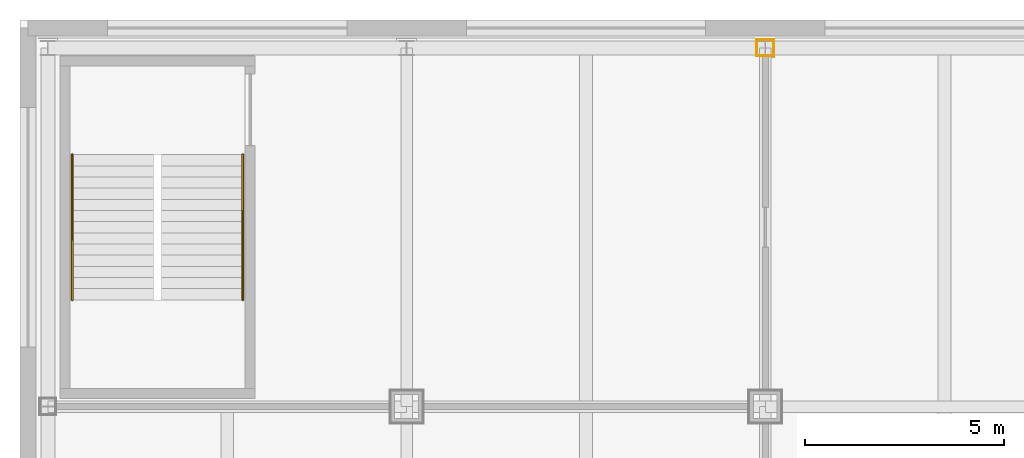
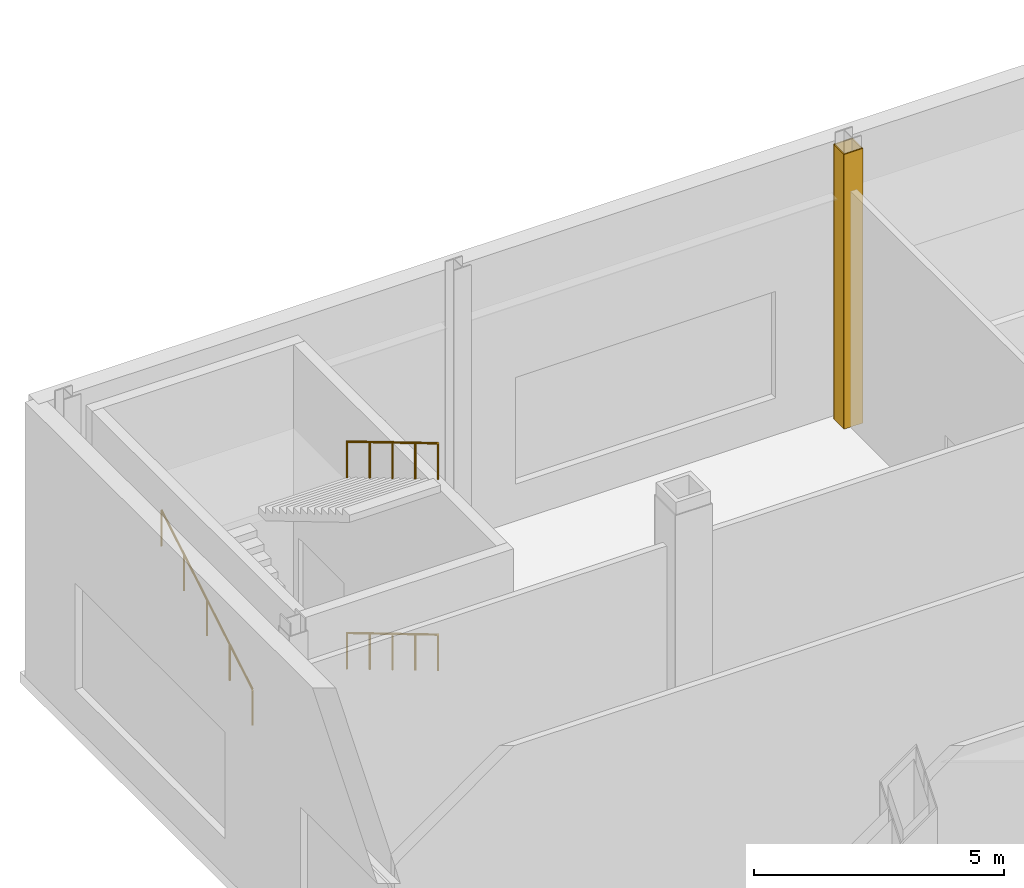
# One storey, part 30 of 32: 4 coverings, 3 railings.
"""IFC4 building model written with IfcOpenShell, lengths in metres."""

import ifcopenshell
import ifcopenshell.guid

model = None  # the IFC model being written
_history = None  # IfcOwnerHistory: only IFC2X3 demands one
_inside = {}  # id of a spatial element -> (the spatial element, [elements in it])
_under = {}  # id of a project, library or spatial element -> (it, [spatial elements below it])
_declared = {}  # id of a project -> (the project, [libraries it declares])
_typed = {}  # id of a type object -> (the type object, [elements of that type])
_made_of = {}  # id of a material, layer set ... -> (it, [elements and type objects made of it])


def new_model(schema):
    """Start an empty IFC model of exactly this schema.

    Asked for "IFC4X3", IfcOpenShell would pick the latest addendum, in which some entities
    have other attributes; the version numbers below select the first issue.
    IFC2X3 requires an IfcOwnerHistory on every rooted entity: one is made here for all.
    """
    global model, _history
    if schema == "IFC4X3":
        model = ifcopenshell.file(schema_version=(4, 3, 0, 0))
    else:
        model = ifcopenshell.file(schema=schema)
    _inside.clear()
    _under.clear()
    _declared.clear()
    _typed.clear()
    _made_of.clear()
    _history = None
    if model.schema == "IFC2X3":
        org = make("IfcOrganization", Name="unknown")
        user = make(
            "IfcPersonAndOrganization",
            ThePerson=make("IfcPerson", FamilyName="unknown"),
            TheOrganization=org,
        )
        app = make(
            "IfcApplication",
            ApplicationDeveloper=org,
            Version="unknown",
            ApplicationFullName="unknown",
            ApplicationIdentifier="unknown",
        )
        _history = make(
            "IfcOwnerHistory",
            OwningUser=user,
            OwningApplication=app,
            ChangeAction="ADDED",
            CreationDate=0,
        )
    return model


def make(cls, **values):
    """One entity of the class cls with the attributes given. An attribute that is None is left unset."""
    return model.create_entity(
        cls, **{name: value for name, value in values.items() if value is not None}
    )


def rooted(cls, **values):
    """An entity with a GlobalId (a new one), such as an element, a storey or a relation."""
    return make(cls, GlobalId=ifcopenshell.guid.new(), OwnerHistory=_history, **values)


def si_unit(unit_type, name, prefix=None):
    """IfcSIUnit, for example si_unit("LENGTHUNIT", "METRE", prefix="MILLI")."""
    return make("IfcSIUnit", UnitType=unit_type, Prefix=prefix, Name=name)


def assignment(units):
    """IfcUnitAssignment: the units of a project."""
    return None if units is None else make("IfcUnitAssignment", Units=units)


def point(xyz):
    """IfcCartesianPoint."""
    return None if xyz is None else make("IfcCartesianPoint", Coordinates=xyz)


def direction(xyz):
    """IfcDirection."""
    return None if xyz is None else make("IfcDirection", DirectionRatios=xyz)


def frame(location, z_axis=None, x_axis=None):
    """IfcAxis2Placement3D, a coordinate frame: its origin and axes. An axis left out is left unset."""
    return make(
        "IfcAxis2Placement3D",
        Location=point(location),
        Axis=direction(z_axis),
        RefDirection=direction(x_axis),
    )


def frame_2d(location, x_axis=None):
    """IfcAxis2Placement2D, a coordinate frame in the plane: its origin and x axis."""
    return make(
        "IfcAxis2Placement2D", Location=point(location), RefDirection=direction(x_axis)
    )


def origin():
    """The frame at (0, 0, 0) with its axes left unset."""
    return frame((0.0, 0.0, 0.0))


def origin_2d():
    """The frame at (0, 0) in the plane with its x axis left unset."""
    return frame_2d((0.0, 0.0))


def place(relative_to, where):
    """IfcLocalPlacement: puts the frame where relative to a parent placement (None: the world)."""
    return make(
        "IfcLocalPlacement", PlacementRelTo=relative_to, RelativePlacement=where
    )


def context(
    kind, dimensions, precision=None, world=None, true_north=None, identifier=None
):
    """IfcGeometricRepresentationContext, for example the 3D "Model" context."""
    return make(
        "IfcGeometricRepresentationContext",
        ContextIdentifier=identifier,
        ContextType=kind,
        CoordinateSpaceDimension=dimensions,
        Precision=precision,
        WorldCoordinateSystem=world,
        TrueNorth=true_north,
    )


def subcontext(parent, identifier, kind, view, scale=None):
    """IfcGeometricRepresentationSubContext, for example "Body" below "Model"."""
    return make(
        "IfcGeometricRepresentationSubContext",
        ContextIdentifier=identifier,
        ContextType=kind,
        ParentContext=parent,
        TargetScale=scale,
        TargetView=view,
    )


def project(units=None, contexts=None):
    """IfcProject with its units and contexts."""
    return rooted(
        "IfcProject",
        Name="project",
        RepresentationContexts=contexts,
        UnitsInContext=assignment(units),
    )


def spatial(cls, under=None, at=None, **own):
    """A site, building, storey or space (cls), placed at a placement, below another one or the project."""
    s = rooted(cls, ObjectPlacement=at, **own)
    if under is not None:
        _under.setdefault(under.id(), (under, []))[1].append(s)
    return s


def profile(cls, at=None, kind="AREA", **sizes):
    """A parametric profile (cls). Its sizes go by their IFC names, for example OverallWidth=200.0."""
    return make(cls, ProfileType=kind, Position=at, **sizes)


def rectangle(**sizes):
    """IfcRectangleProfileDef."""
    return profile("IfcRectangleProfileDef", **sizes)


def circle(**sizes):
    """IfcCircleProfileDef."""
    return profile("IfcCircleProfileDef", **sizes)


def extrude(swept, where, along, depth):
    """IfcExtrudedAreaSolid: the profile swept, set in the frame where, extruded along a direction by depth."""
    return make(
        "IfcExtrudedAreaSolid",
        SweptArea=swept,
        Position=where,
        ExtrudedDirection=direction(along),
        Depth=depth,
    )


def shape(context_of_items, identifier, shape_type, items):
    """IfcShapeRepresentation: the items that make up one representation, for example the "Body"."""
    return make(
        "IfcShapeRepresentation",
        ContextOfItems=context_of_items,
        RepresentationIdentifier=identifier,
        RepresentationType=shape_type,
        Items=items,
    )


def material(Name=None, Category=None):
    """IfcMaterial."""
    return make("IfcMaterial", Name=Name, Category=Category)


def layer(
    of_material, thickness, ventilated=None, Name=None, Category=None, Priority=None
):
    """IfcMaterialLayer: one layer of a wall or slab, of a material (None: an air gap)."""
    return make(
        "IfcMaterialLayer",
        Material=of_material,
        LayerThickness=thickness,
        IsVentilated=ventilated,
        Name=Name,
        Category=Category,
        Priority=Priority,
    )


def layer_set(layers, Name=None):
    """IfcMaterialLayerSet."""
    return make("IfcMaterialLayerSet", MaterialLayers=layers, LayerSetName=Name)


def made_of(thing, what):
    """Note that an element or type object is made of a material, layer set ...; save() writes the relation."""
    if what is not None:
        _made_of.setdefault(what.id(), (what, []))[1].append(thing)
    return thing


def type_object(cls, material=None, **own):
    """A type object (cls), such as IfcWallType, which elements share."""
    return made_of(rooted(cls, **own), material)


def element(
    cls,
    number,
    at=None,
    inside=None,
    cuts=None,
    type_object=None,
    material=None,
    context=None,
    identifier="Body",
    shape_type=None,
    held_by="IfcProductDefinitionShape",
    body=None,
    shapes=None,
    **own,
):
    """One element of the class cls, such as IfcWall. Its Tag is "e" and its number.

    at: its placement. inside: the storey or other place that contains it. cuts: it is an
    opening in that element (IfcRelVoidsElement). A single representation is given by context,
    identifier, shape_type and body (its items); several are given by shapes. held_by: the class
    of the entity that holds the representations. save() writes the other relations.
    """
    e = rooted(cls, Tag="e%d" % number, ObjectPlacement=at, **own)
    if body is not None:
        shapes = [shape(context, identifier, shape_type, body)]
    if shapes is not None:
        e.Representation = make(held_by, Representations=shapes)
    if inside is not None:
        _inside.setdefault(inside.id(), (inside, []))[1].append(e)
    if cuts is not None:
        rooted(
            "IfcRelVoidsElement", RelatingBuildingElement=cuts, RelatedOpeningElement=e
        )
    if type_object is not None:
        _typed.setdefault(type_object.id(), (type_object, []))[1].append(e)
    return made_of(e, material)


def aggregate(whole, parts):
    """IfcRelAggregates: a whole, such as a stair, and the parts it consists of."""
    return rooted("IfcRelAggregates", RelatingObject=whole, RelatedObjects=parts)


def save(model, path):
    """Write the relations noted so far, then the file.

    IfcRelAggregates (storeys below a building ...), IfcRelContainedInSpatialStructure (elements
    in a storey), IfcRelDefinesByType, IfcRelAssociatesMaterial and IfcRelDeclares: one each for
    every whole, place, type object, material and project.
    """
    for whole, parts in _under.values():
        aggregate(whole, parts)
    for where, things in _inside.values():
        rooted(
            "IfcRelContainedInSpatialStructure",
            RelatedElements=things,
            RelatingStructure=where,
        )
    for kind, things in _typed.values():
        rooted("IfcRelDefinesByType", RelatedObjects=things, RelatingType=kind)
    for what, things in _made_of.values():
        rooted("IfcRelAssociatesMaterial", RelatedObjects=things, RelatingMaterial=what)
    for by, libraries in _declared.values():
        rooted("IfcRelDeclares", RelatingContext=by, RelatedDefinitions=libraries)
    model.write(path)


model = new_model("IFC4")

# Units and contexts
model_context = context("Model", 3, precision=1e-05, world=origin(), true_north=direction((0.0, 1.0)))
body_context = subcontext(model_context, "Body", "Model", "MODEL_VIEW")
ifc_project = project(units=[si_unit("LENGTHUNIT", "METRE"), si_unit("AREAUNIT", "SQUARE_METRE"), si_unit("VOLUMEUNIT", "CUBIC_METRE"), si_unit("PLANEANGLEUNIT", "RADIAN"), si_unit("MASSUNIT", "GRAM", prefix="KILO")], contexts=[model_context])

# Site, building, storey
site_placement = place(None, origin())
site = spatial("IfcSite", under=ifc_project, at=site_placement, CompositionType="ELEMENT")
building_placement = place(site_placement, origin())
building = spatial("IfcBuilding", under=site, at=building_placement, Name="Loomwork Tower", CompositionType="ELEMENT")
storey_placement = place(building_placement, frame((0.0, 0.0, 16.0)))
storey = spatial("IfcBuildingStorey", under=building, at=storey_placement, Name="L03", CompositionType="ELEMENT", Elevation=16.0)

# Coverings
ifc_material_1 = material(Name="Two-hour fire-rated gypsum board casing")
ifc_layer = layer(ifc_material_1, 0.02490234375)
ifc_layer_set = layer_set([ifc_layer], Name="Column fire casing 25")
covering_type = type_object("IfcCoveringType", Name="Column fire casing 25", PredefinedType="CLADDING", material=ifc_layer_set)
for number, where, z_axis, x_axis, name in (
    (1, (9.0, 45.200439453125, 0.0), (0.0, 0.0, 1.0), (1.0, 0.0, 0.0), "Column casing 9 45 L03"),
    (2, (9.0, 44.799560546875, 0.0), (0.0, 0.0, 1.0), (1.0, 0.0, 0.0), "Column casing 9 45 L03"),
):
    element("IfcCovering", number, at=place(storey_placement, frame(where, z_axis=z_axis, x_axis=x_axis)), inside=storey, type_object=covering_type, Name=name, PredefinedType="CLADDING", context=body_context, shape_type="SweptSolid", body=[
        extrude(rectangle(XDim=0.443603515625, YDim=0.02490234375, at=origin_2d()), origin(), (0.0, 0.0, 1.0), 6.699951171875),
    ])
for number, where, z_axis, x_axis, name in (
    (3, (9.209228515625, 45.0, 0.0), (0.0, 0.0, 1.0), (1.0, 0.0, 0.0), "Column casing 9 45 L03"),
    (4, (8.790771484375, 45.0, 0.0), (0.0, 0.0, 1.0), (1.0, 0.0, 0.0), "Column casing 9 45 L03"),
):
    element("IfcCovering", number, at=place(storey_placement, frame(where, z_axis=z_axis, x_axis=x_axis)), inside=storey, type_object=covering_type, Name=name, PredefinedType="CLADDING", context=body_context, shape_type="SweptSolid", body=[
        extrude(rectangle(XDim=0.02490234375, YDim=0.3759765625, at=origin_2d()), origin(), (0.0, 0.0, 1.0), 6.699951171875),
    ])

# Railings
ifc_material_2 = material(Name="Stainless steel handrail", Category="steel")
railing_type = type_object("IfcRailingType", Name="Handrail 900", PredefinedType="HANDRAIL", material=ifc_material_2)
railing_1_placement = place(storey_placement, frame((-4.110107421875, 42.320068359375, 0.166748046875)))
element("IfcRailing", 5, at=railing_1_placement, inside=storey, type_object=railing_type, Name="Podium stair PS3 handrail flight 1 L03", PredefinedType="HANDRAIL", context=body_context, shape_type="SweptSolid", body=[
    extrude(circle(Radius=0.02392578125, at=origin_2d()), frame((0.0, 0.0, 0.8759765625), z_axis=(0.0, -0.859318214192, 0.511441303336), x_axis=(1.0, 0.0, 0.0)), (0.0, 0.0, 1.0), 4.236083984375),
    extrude(circle(Radius=0.02099609375, at=origin_2d()), origin(), (0.0, 0.0, 1.0), 0.851806640625),
    extrude(circle(Radius=0.02099609375, at=origin_2d()), frame((0.0, -0.91015625, 0.54150390625)), (0.0, 0.0, 1.0), 0.851806640625),
    extrude(circle(Radius=0.02099609375, at=origin_2d()), frame((0.0, -1.820068359375, 1.083251953125)), (0.0, 0.0, 1.0), 0.851806640625),
    extrude(circle(Radius=0.02099609375, at=origin_2d()), frame((0.0, -2.72998046875, 1.625)), (0.0, 0.0, 1.0), 0.851806640625),
    extrude(circle(Radius=0.02099609375, at=origin_2d()), frame((0.0, -3.64013671875, 2.16650390625)), (0.0, 0.0, 1.0), 0.851806640625),
])
railing_2_placement = place(storey_placement, frame((-8.389892578125, 38.679931640625, 2.5)))
element("IfcRailing", 6, at=railing_2_placement, inside=storey, type_object=railing_type, Name="Podium stair PS3 handrail flight 2 L03", PredefinedType="HANDRAIL", context=body_context, shape_type="SweptSolid", body=[
    extrude(circle(Radius=0.02392578125, at=origin_2d()), frame((0.0, 0.0, 0.8759765625), z_axis=(0.0, 0.859318214192, 0.511441303336), x_axis=(-1.0, 0.0, 0.0)), (0.0, 0.0, 1.0), 4.236083984375),
    extrude(circle(Radius=0.02099609375, at=origin_2d()), origin(), (0.0, 0.0, 1.0), 0.851806640625),
    extrude(circle(Radius=0.02099609375, at=origin_2d()), frame((0.0, 0.91015625, 0.54150390625)), (0.0, 0.0, 1.0), 0.851806640625),
    extrude(circle(Radius=0.02099609375, at=origin_2d()), frame((0.0, 1.820068359375, 1.083251953125)), (0.0, 0.0, 1.0), 0.851806640625),
    extrude(circle(Radius=0.02099609375, at=origin_2d()), frame((0.0, 2.72998046875, 1.625)), (0.0, 0.0, 1.0), 0.851806640625),
    extrude(circle(Radius=0.02099609375, at=origin_2d()), frame((0.0, 3.64013671875, 2.16650390625)), (0.0, 0.0, 1.0), 0.851806640625),
])
railing_3_placement = place(storey_placement, frame((-4.110107421875, 42.320068359375, 4.83349609375)))
element("IfcRailing", 7, at=railing_3_placement, inside=storey, type_object=railing_type, Name="Podium stair PS3 handrail flight 3 L03", PredefinedType="HANDRAIL", context=body_context, shape_type="SweptSolid", body=[
    extrude(circle(Radius=0.02392578125, at=origin_2d()), frame((0.0, 0.0, 0.8759765625), z_axis=(0.0, -0.859318214192, 0.511441303336), x_axis=(1.0, 0.0, 0.0)), (0.0, 0.0, 1.0), 4.236083984375),
    extrude(circle(Radius=0.02099609375, at=origin_2d()), origin(), (0.0, 0.0, 1.0), 0.851806640625),
    extrude(circle(Radius=0.02099609375, at=origin_2d()), frame((0.0, -0.91015625, 0.54150390625)), (0.0, 0.0, 1.0), 0.851806640625),
    extrude(circle(Radius=0.02099609375, at=origin_2d()), frame((0.0, -1.820068359375, 1.083251953125)), (0.0, 0.0, 1.0), 0.851806640625),
    extrude(circle(Radius=0.02099609375, at=origin_2d()), frame((0.0, -2.72998046875, 1.625)), (0.0, 0.0, 1.0), 0.851806640625),
    extrude(circle(Radius=0.02099609375, at=origin_2d()), frame((0.0, -3.64013671875, 2.16650390625)), (0.0, 0.0, 1.0), 0.851806640625),
])

save(model, "model.ifc")
